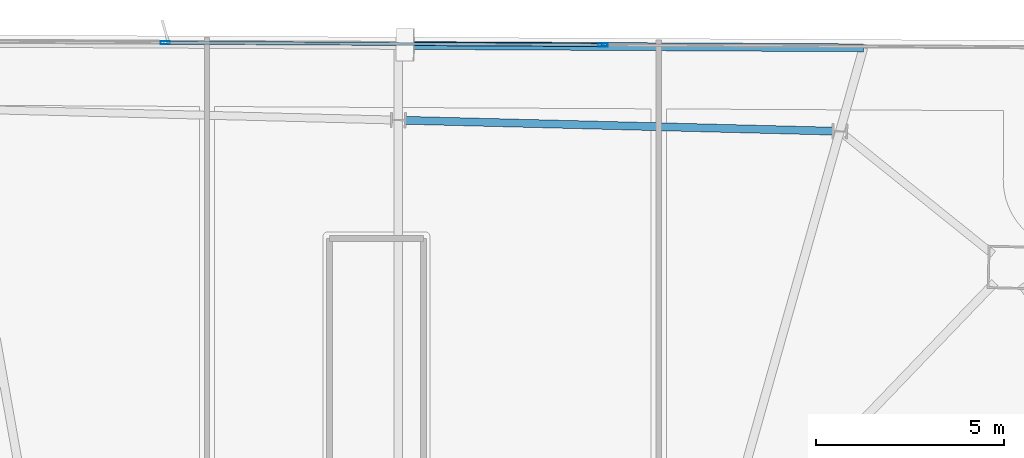
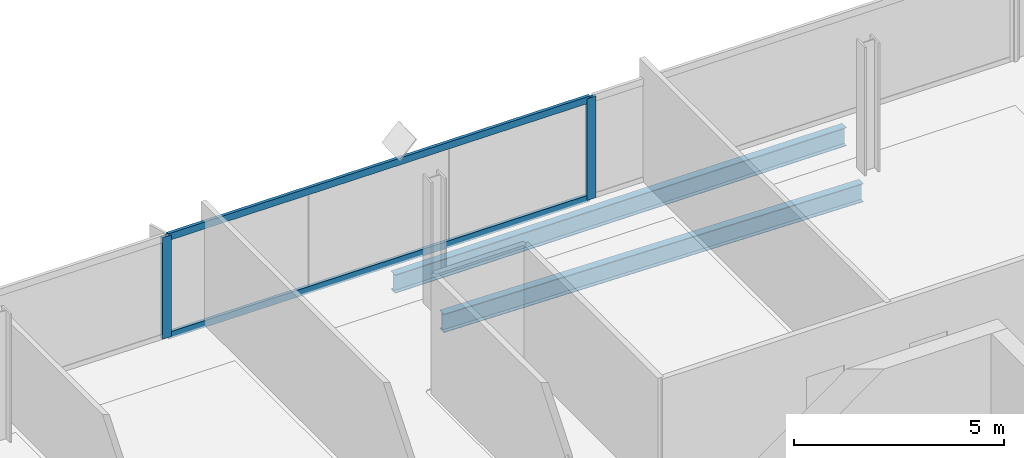
# One storey, part 15 of 24: 4 members, 2 beams, 1 element without a shape of its own.
"""IFC4 building model written with IfcOpenShell, lengths in metres."""

from ifc_helpers import new_model, si_unit, direction, frame, origin, origin_2d, place, context, subcontext, project, spatial, hollow_rectangle, i_section, extrude, material, material_profile, profile_set, type_object, element, aggregate, save


model = new_model("IFC4")

# Units and contexts
model_context = context("Model", 3, precision=1e-05, world=origin(), true_north=direction((0.0, 1.0)))
body_context = subcontext(model_context, "Body", "Model", "MODEL_VIEW")
ifc_project = project(units=[si_unit("LENGTHUNIT", "METRE"), si_unit("AREAUNIT", "SQUARE_METRE"), si_unit("VOLUMEUNIT", "CUBIC_METRE"), si_unit("PLANEANGLEUNIT", "RADIAN"), si_unit("MASSUNIT", "GRAM", prefix="KILO")], contexts=[model_context])

# Site, building, storey
site_placement = place(None, origin())
site = spatial("IfcSite", under=ifc_project, at=site_placement, CompositionType="ELEMENT")
building_placement = place(site_placement, origin())
building = spatial("IfcBuilding", under=site, at=building_placement, Name="Haldenkirk Collegiate Tower", CompositionType="ELEMENT")
storey_placement = place(building_placement, frame((0.0, 0.0, 328.949951171875)))
storey = spatial("IfcBuildingStorey", under=building, at=storey_placement, Name="L83", CompositionType="ELEMENT", Elevation=328.949951171875)

# Beams
ifc_material_1 = material(Name="Steel ASTM A992 Grade 50", Category="steel")
ifc_material_profile_1 = material_profile(ifc_material_1, i_section(OverallWidth=0.2099609375, OverallDepth=0.537109375, WebThickness=0.010986328125, FlangeThickness=0.017333984375, at=origin_2d()), Name="W21X68")
ifc_profile_set_1 = profile_set([ifc_material_profile_1], Name="Steel ASTM A992 Grade 50")
beam_type = type_object("IfcBeamType", Name="BM-SPANDREL-W21X68", PredefinedType="SPANDREL", material=ifc_profile_set_1)
beam_1_placement = place(storey_placement, frame((48.123779296875, 45.74951171875, -0.528564453125), z_axis=(-0.999679864584, 0.025301548267, 0.0), x_axis=(-0.025301548267, -0.999679864584, 0.0)))
element("IfcBeam", 1, at=beam_1_placement, inside=storey, type_object=beam_type, Name="L83 perimeter spandrel beam 06", PredefinedType="SPANDREL", context=body_context, shape_type="SweptSolid", body=[
    extrude(i_section(OverallWidth=0.2099609375, OverallDepth=0.537109375, WebThickness=0.010986328125, FlangeThickness=0.017333984375, at=origin_2d()), origin(), (0.0, 0.0, 1.0), 11.357177734375),
])
beam_2_placement = place(storey_placement, frame((48.93701171875, 47.962646484375, -0.528564453125), z_axis=(-0.9999862891, 0.005236564897, 0.0), x_axis=(-0.005236564897, -0.9999862891, 0.0)))
element("IfcBeam", 2, at=beam_2_placement, inside=storey, type_object=beam_type, Name="L83 outer facade edge beam 2A", PredefinedType="SPANDREL", context=body_context, shape_type="SweptSolid", body=[
    extrude(i_section(OverallWidth=0.2099609375, OverallDepth=0.537109375, WebThickness=0.010986328125, FlangeThickness=0.017333984375, at=origin_2d()), origin(), (0.0, 0.0, 1.0), 12.35498046875),
])

# Curtain wall, members
ifc_material_2 = material(Name="Anodised architectural bronze aluminium", Category="aluminium")
curtain_wall_type = type_object("IfcCurtainWallType", Name="CW-SYS1B-CONVEX-HI", PredefinedType="USERDEFINED", material=ifc_material_2)
curtain_wall_placement = place(storey_placement, origin())
curtain_wall = element("IfcCurtainWall", 3, at=curtain_wall_placement, inside=storey, type_object=curtain_wall_type, Name="L83 Upper tower high-wind convex bronze unitised curtain wall", ObjectType="UNITISED CURTAIN WALL", PredefinedType="USERDEFINED")
ifc_material_profile_2 = material_profile(ifc_material_2, hollow_rectangle(XDim=0.0849609375, YDim=0.25, WallThickness=0.0048828125, at=origin_2d()), Name="CW-MUL-1B")
ifc_profile_set_2 = profile_set([ifc_material_profile_2], Name="Anodised architectural bronze aluminium")
member_type_1 = type_object("IfcMemberType", Name="CW-MUL-1B", PredefinedType="MULLION", material=ifc_profile_set_2)
member_1_placement = place(storey_placement, frame((30.390625, 48.099609375, 0.0), z_axis=(0.0, 0.0, 1.0), x_axis=(0.005238727924, 0.999986277771, 0.0)))
member_1 = element("IfcMember", 4, at=member_1_placement, type_object=member_type_1, Name="CW-1B mullion 2", PredefinedType="MULLION", context=body_context, shape_type="SweptSolid", body=[
    extrude(hollow_rectangle(XDim=0.0849609375, YDim=0.25, WallThickness=0.0048828125, at=origin_2d()), origin(), (0.0, 0.0, 1.0), 2.947998046875),
])
member_2_placement = place(storey_placement, frame((42.015380859375, 48.038818359375, 0.0), z_axis=(0.0, 0.0, 1.0), x_axis=(0.005238727924, 0.999986277771, 0.0)))
member_2 = element("IfcMember", 5, at=member_2_placement, type_object=member_type_1, Name="CW-1B mullion 3", PredefinedType="MULLION", context=body_context, shape_type="SweptSolid", body=[
    extrude(hollow_rectangle(XDim=0.0849609375, YDim=0.25, WallThickness=0.0048828125, at=origin_2d()), origin(), (0.0, 0.0, 1.0), 2.947998046875),
])
ifc_material_profile_3 = material_profile(ifc_material_2, hollow_rectangle(XDim=0.0849609375, YDim=0.199951171875, WallThickness=0.0048828125, at=origin_2d()), Name="CW-TRN-1B")
ifc_profile_set_3 = profile_set([ifc_material_profile_3], Name="Anodised architectural bronze aluminium")
member_type_2 = type_object("IfcMemberType", Name="CW-TRN-1B", PredefinedType="USERDEFINED", material=ifc_profile_set_3)
member_3_placement = place(storey_placement, frame((30.43310546875, 48.099365234375, 0.04248046875), z_axis=(0.999986346659, -0.005225561758, 0.0), x_axis=(0.005225561758, 0.999986346659, 0.0)))
member_3 = element("IfcMember", 6, at=member_3_placement, type_object=member_type_2, Name="CW-1B transom 2.1", ObjectType="TRANSOM", PredefinedType="USERDEFINED", context=body_context, shape_type="SweptSolid", body=[
    extrude(hollow_rectangle(XDim=0.0849609375, YDim=0.199951171875, WallThickness=0.0048828125, at=origin_2d()), origin(), (0.0, 0.0, 1.0), 11.5400390625),
])
member_4_placement = place(storey_placement, frame((30.43310546875, 48.099365234375, 2.905517578125), z_axis=(0.999986346659, -0.005225561758, 0.0), x_axis=(0.005225561758, 0.999986346659, 0.0)))
member_4 = element("IfcMember", 7, at=member_4_placement, type_object=member_type_2, Name="CW-1B transom 2.2", ObjectType="TRANSOM", PredefinedType="USERDEFINED", context=body_context, shape_type="SweptSolid", body=[
    extrude(hollow_rectangle(XDim=0.0849609375, YDim=0.199951171875, WallThickness=0.0048828125, at=origin_2d()), origin(), (0.0, 0.0, 1.0), 11.5400390625),
])
aggregate(curtain_wall, [member_1, member_2, member_3, member_4])

save(model, "model.ifc")
